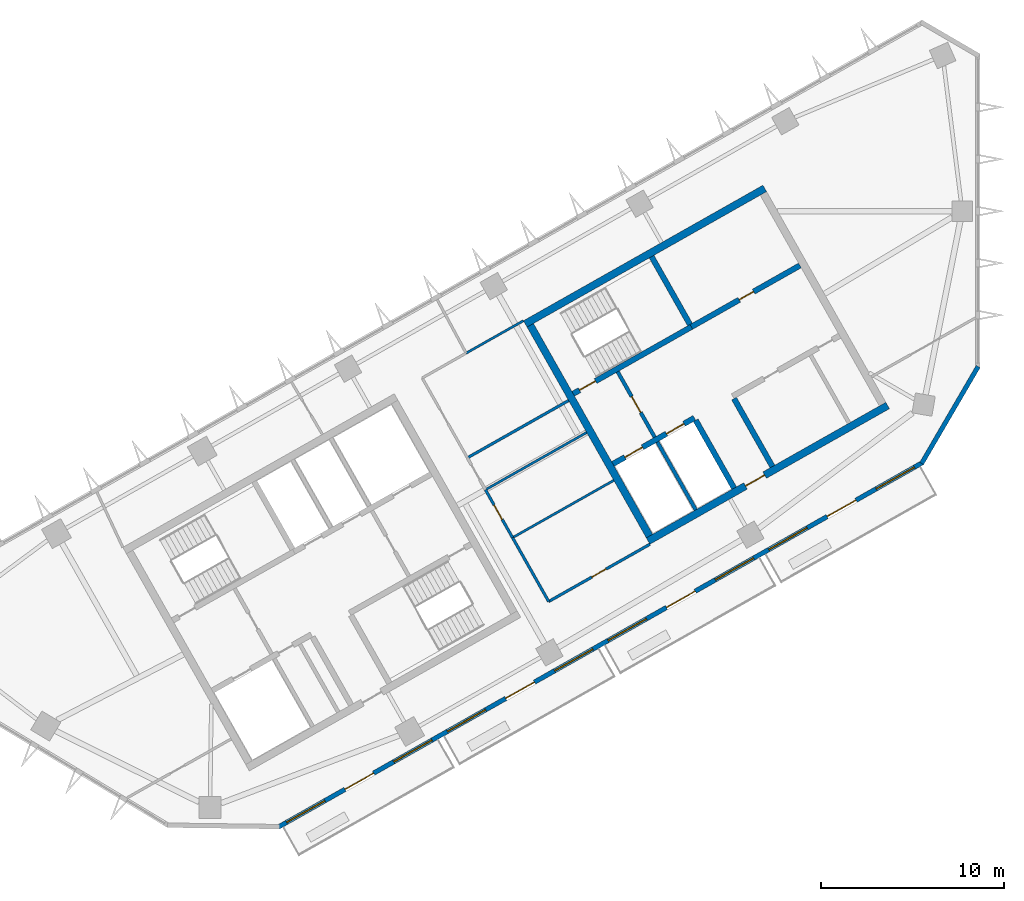
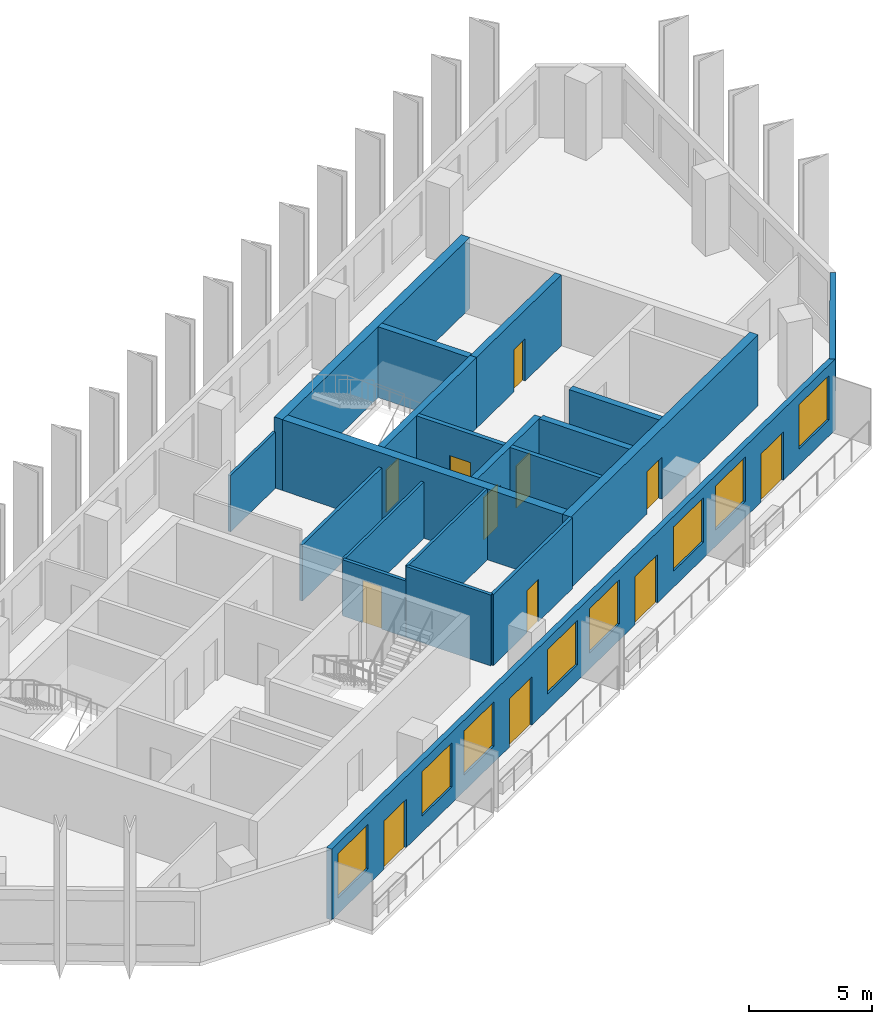
# One storey, part 4 of 8: 20 walls, 12 doors, 8 windows, 20 openings.
"""IFC4 building model written with IfcOpenShell, lengths in metres."""

from ifc_helpers import new_model, si_unit, direction, frame, frame_2d, origin, place, context, subcontext, project, spatial, rectangle, extrude, material, layer, layer_set, type_object, element, fill, save


model = new_model("IFC4")

# Units and contexts
model_context = context("Model", 3, precision=1e-05, world=origin(), true_north=direction((0.0, 1.0)))
body_context = subcontext(model_context, "Body", "Model", "MODEL_VIEW")
ifc_project = project(units=[si_unit("LENGTHUNIT", "METRE"), si_unit("AREAUNIT", "SQUARE_METRE"), si_unit("VOLUMEUNIT", "CUBIC_METRE"), si_unit("PLANEANGLEUNIT", "RADIAN"), si_unit("MASSUNIT", "GRAM", prefix="KILO")], contexts=[model_context])

# Site, building, storey
site_placement = place(None, origin())
site = spatial("IfcSite", under=ifc_project, at=site_placement, CompositionType="ELEMENT")
building_placement = place(site_placement, origin())
building = spatial("IfcBuilding", under=site, at=building_placement, Name="Binnacle Exchange Tower", CompositionType="ELEMENT")
storey_placement = place(building_placement, frame((0.0, 0.0, 277.89990234375)))
storey = spatial("IfcBuildingStorey", under=building, at=storey_placement, Name="L62", CompositionType="ELEMENT", Elevation=277.89990234375)

# Wall, openings, doors
ifc_material_1 = material(Name="Concrete C70/85", Category="concrete")
ifc_layer_1 = layer(ifc_material_1, 0.300048828125)
ifc_layer_set_1 = layer_set([ifc_layer_1], Name="Core wall - front 300")
wall_type_1 = type_object("IfcWallType", Name="Core wall - front 300", PredefinedType="SOLIDWALL", material=ifc_layer_set_1)
wall_1_placement = place(storey_placement, frame((-19.89208984375, 46.2177734375, 0.0), z_axis=(0.0, 0.0, 1.0), x_axis=(0.870341639186, 0.492448404505, 0.0)))
wall_1 = element("IfcWall", 1, at=wall_1_placement, inside=storey, type_object=wall_type_1, Name="Core wall CRWC2", PredefinedType="SOLIDWALL", context=body_context, shape_type="SweptSolid", body=[
    extrude(rectangle(XDim=5.099853515625, YDim=0.300048828125, at=frame_2d((2.5498046875, 0.0))), origin(), (0.0, 0.0, 1.0), 3.52001953125),
])
opening_1_placement = place(wall_1_placement, frame((0.75, 0.0, 0.0)))
opening_1 = element("IfcOpeningElement", 2, at=opening_1_placement, cuts=wall_1, Name="Opening LD14", PredefinedType="OPENING", context=body_context, shape_type="SweptSolid", body=[
    extrude(rectangle(XDim=1.10009765625, YDim=2.10009765625, at=frame_2d((0.550048828125, 1.050048828125))), frame((0.0, 0.159912109375, 0.0), z_axis=(0.0, -1.0, 0.0), x_axis=(1.0, 0.0, 0.0)), (0.0, 0.0, 1.0), 0.320068359375),
])
opening_2_placement = place(wall_1_placement, frame((3.35009765625, 0.0, 0.0)))
opening_2 = element("IfcOpeningElement", 3, at=opening_2_placement, cuts=wall_1, Name="Opening LD11", PredefinedType="OPENING", context=body_context, shape_type="SweptSolid", body=[
    extrude(rectangle(XDim=1.10009765625, YDim=2.10009765625, at=frame_2d((0.550048828125, 1.050048828125))), frame((0.0, 0.159912109375, 0.0), z_axis=(0.0, -1.0, 0.0), x_axis=(1.0, 0.0, 0.0)), (0.0, 0.0, 1.0), 0.320068359375),
])
ifc_material_2 = material(Name="Steel door leaf", Category="steel")
door_type_1 = type_object("IfcDoorType", Name="Fire door - lift landing 1100", OperationType="NOTDEFINED", PredefinedType="DOOR", material=ifc_material_2)
door_1_placement = place(opening_1_placement, origin())
door_1 = element("IfcDoor", 4, at=door_1_placement, inside=storey, type_object=door_type_1, Name="Landing door LD14 L62", OperationType="DOUBLE_DOOR_SLIDING", OverallHeight=2.10009765625, OverallWidth=1.10009765625, PredefinedType="DOOR", context=body_context, shape_type="SweptSolid", body=[
    extrude(rectangle(XDim=1.10009765625, YDim=2.10009765625, at=frame_2d((0.550048828125, 1.050048828125))), frame((0.0, 0.02490234375, 0.0), z_axis=(0.0, -1.0, 0.0), x_axis=(1.0, 0.0, 0.0)), (0.0, 0.0, 1.0), 0.050048828125),
])
fill(opening_1, door_1)
door_2_placement = place(opening_2_placement, origin())
door_2 = element("IfcDoor", 5, at=door_2_placement, inside=storey, type_object=door_type_1, Name="Landing door LD11 L62", OperationType="DOUBLE_DOOR_SLIDING", OverallHeight=2.10009765625, OverallWidth=1.10009765625, PredefinedType="DOOR", context=body_context, shape_type="SweptSolid", body=[
    extrude(rectangle(XDim=1.10009765625, YDim=2.10009765625, at=frame_2d((0.550048828125, 1.050048828125))), frame((0.0, 0.02490234375, 0.0), z_axis=(0.0, -1.0, 0.0), x_axis=(1.0, 0.0, 0.0)), (0.0, 0.0, 1.0), 0.050048828125),
])
fill(opening_2, door_2)

# Wall, opening, door
wall_2_placement = place(storey_placement, frame((-15.6181640625, 53.69140625, 0.0), z_axis=(0.0, 0.0, 1.0), x_axis=(0.870362830851, 0.492410948978, 0.0)))
wall_2 = element("IfcWall", 6, at=wall_2_placement, inside=storey, type_object=wall_type_1, Name="Core wall CRWC5", PredefinedType="SOLIDWALL", context=body_context, shape_type="SweptSolid", body=[
    extrude(rectangle(XDim=6.800048828125, YDim=0.300048828125, at=frame_2d((3.39990234375, 0.0))), origin(), (0.0, 0.0, 1.0), 3.52001953125),
])
opening_3_placement = place(wall_2_placement, frame((3.0, 0.0, 0.0)))
opening_3 = element("IfcOpeningElement", 7, at=opening_3_placement, cuts=wall_2, Name="Opening DC10", PredefinedType="OPENING", context=body_context, shape_type="SweptSolid", body=[
    extrude(rectangle(XDim=0.89990234375, YDim=2.10009765625, at=frame_2d((0.449951171875, 1.050048828125))), frame((0.0, 0.159912109375, 0.0), z_axis=(0.0, -1.0, 0.0), x_axis=(1.0, 0.0, 0.0)), (0.0, 0.0, 1.0), 0.320068359375),
])
door_type_2 = type_object("IfcDoorType", Name="Fire door 900", OperationType="NOTDEFINED", PredefinedType="DOOR", material=ifc_material_2)
door_3_placement = place(opening_3_placement, origin())
door_3 = element("IfcDoor", 8, at=door_3_placement, inside=storey, type_object=door_type_2, Name="Core room door STAFF PANTRY AND STORE", OperationType="SINGLE_SWING_RIGHT", OverallHeight=2.10009765625, OverallWidth=0.89990234375, PredefinedType="DOOR", context=body_context, shape_type="SweptSolid", body=[
    extrude(rectangle(XDim=0.89990234375, YDim=2.10009765625, at=frame_2d((0.449951171875, 1.050048828125))), frame((0.0, 0.02490234375, 0.0), z_axis=(0.0, -1.0, 0.0), x_axis=(1.0, 0.0, 0.0)), (0.0, 0.0, 1.0), 0.050048828125),
])
fill(opening_3, door_3)

# Walls
wall_3_placement = place(storey_placement, frame((-15.37939453125, 48.5986328125, 0.0), z_axis=(0.0, 0.0, 1.0), x_axis=(0.492422543467, -0.870356271124, 0.0)))
element("IfcWall", 9, at=wall_3_placement, inside=storey, type_object=wall_type_1, Name="Core wall CRWC13", PredefinedType="SOLIDWALL", context=body_context, shape_type="SweptSolid", body=[
    extrude(rectangle(XDim=4.25, YDim=0.300048828125, at=frame_2d((2.125, 0.0))), origin(), (0.0, 0.0, 1.0), 3.52001953125),
])
wall_4_placement = place(storey_placement, frame((-13.29052734375, 49.780517578125, 0.0), z_axis=(0.0, 0.0, 1.0), x_axis=(0.492397924348, -0.870370199454, 0.0)))
element("IfcWall", 10, at=wall_4_placement, inside=storey, type_object=wall_type_1, Name="Core wall CRWC15", PredefinedType="SOLIDWALL", context=body_context, shape_type="SweptSolid", body=[
    extrude(rectangle(XDim=4.250244140625, YDim=0.300048828125, at=frame_2d((2.125, 0.0))), origin(), (0.0, 0.0, 1.0), 3.52001953125),
])

# Wall, opening, door
ifc_layer_2 = layer(ifc_material_1, 0.39990234375)
ifc_layer_set_2 = layer_set([ifc_layer_2], Name="Core wall - outer 400")
wall_type_2 = type_object("IfcWallType", Name="Core wall - outer 400", PredefinedType="SOLIDWALL", material=ifc_layer_set_2)
wall_5_placement = place(storey_placement, frame((-17.97509765625, 42.01708984375, 0.0), z_axis=(0.0, 0.0, 1.0), x_axis=(0.87034965173, 0.492434243055, 0.0)))
wall_5 = element("IfcWall", 11, at=wall_5_placement, inside=storey, type_object=wall_type_2, Name="Core wall CRWC1", PredefinedType="SOLIDWALL", context=body_context, shape_type="SweptSolid", body=[
    extrude(rectangle(XDim=15.0, YDim=0.39990234375, at=frame_2d((7.5, 0.0))), origin(), (0.0, 0.0, 1.0), 3.52001953125),
])
opening_4_placement = place(wall_5_placement, frame((6.10009765625, 0.0, 0.0)))
opening_4 = element("IfcOpeningElement", 12, at=opening_4_placement, cuts=wall_5, Name="Opening DC7", PredefinedType="OPENING", context=body_context, shape_type="SweptSolid", body=[
    extrude(rectangle(XDim=1.199951171875, YDim=2.10009765625, at=frame_2d((0.60009765625, 1.050048828125))), frame((0.0, 0.2099609375, 0.0), z_axis=(0.0, -1.0, 0.0), x_axis=(1.0, 0.0, 0.0)), (0.0, 0.0, 1.0), 0.419921875),
])
door_type_3 = type_object("IfcDoorType", Name="Fire door 1200", OperationType="NOTDEFINED", PredefinedType="DOOR", material=ifc_material_2)
door_4_placement = place(opening_4_placement, frame((1.199951171875, 0.0, 0.0), z_axis=(0.0, 0.0, 1.0), x_axis=(-1.0, 0.0, 0.0)))
door_4 = element("IfcDoor", 13, at=door_4_placement, inside=storey, type_object=door_type_3, Name="Lift lobby entrance door core C", OperationType="SINGLE_SWING_RIGHT", OverallHeight=2.10009765625, OverallWidth=1.199951171875, PredefinedType="DOOR", context=body_context, shape_type="SweptSolid", body=[
    extrude(rectangle(XDim=1.199951171875, YDim=2.10009765625, at=frame_2d((0.60009765625, 1.050048828125))), frame((0.0, 0.02490234375, 0.0), z_axis=(0.0, -1.0, 0.0), x_axis=(1.0, 0.0, 0.0)), (0.0, 0.0, 1.0), 0.050048828125),
])
fill(opening_4, door_4)

# Walls
wall_6_placement = place(storey_placement, frame((-24.672119140625, 53.85400390625, 0.0), z_axis=(0.0, 0.0, 1.0), x_axis=(0.870353598469, 0.492427267353, 0.0)))
element("IfcWall", 14, at=wall_6_placement, inside=storey, type_object=wall_type_2, Name="Core wall CRWC6", PredefinedType="SOLIDWALL", context=body_context, shape_type="SweptSolid", body=[
    extrude(rectangle(XDim=15.000244140625, YDim=0.39990234375, at=frame_2d((7.5, 0.0))), origin(), (0.0, 0.0, 1.0), 3.52001953125),
])
wall_7_placement = place(storey_placement, frame((-24.399658203125, 53.778564453125, 0.0), z_axis=(0.0, 0.0, 1.0), x_axis=(0.492421663121, -0.870356769198, 0.0)))
element("IfcWall", 15, at=wall_7_placement, inside=storey, type_object=wall_type_2, Name="Core wall CRWC7", PredefinedType="SOLIDWALL", context=body_context, shape_type="SweptSolid", body=[
    extrude(rectangle(XDim=13.199951171875, YDim=0.39990234375, at=frame_2d((6.60009765625, 0.0))), origin(), (0.0, 0.0, 1.0), 3.52001953125),
])

# Wall, opening, door
ifc_layer_3 = layer(ifc_material_1, 0.300048828125)
ifc_layer_set_3 = layer_set([ifc_layer_3], Name="Core wall - stair 300")
wall_type_3 = type_object("IfcWallType", Name="Core wall - stair 300", PredefinedType="SOLIDWALL", material=ifc_layer_set_3)
wall_8_placement = place(storey_placement, frame((-22.058837890625, 50.04736328125, 0.0), z_axis=(0.0, 0.0, 1.0), x_axis=(0.87035077051, 0.49243226567, 0.0)))
wall_8 = element("IfcWall", 16, at=wall_8_placement, inside=storey, type_object=wall_type_3, Name="Core wall CRWC4", PredefinedType="SOLIDWALL", context=body_context, shape_type="SweptSolid", body=[
    extrude(rectangle(XDim=7.400146484375, YDim=0.300048828125, at=frame_2d((3.7001953125, 0.0))), origin(), (0.0, 0.0, 1.0), 3.52001953125),
])
opening_5_placement = place(wall_8_placement, frame((0.39990234375, 0.0, 0.0)))
opening_5 = element("IfcOpeningElement", 17, at=opening_5_placement, cuts=wall_8, Name="Opening DC1", PredefinedType="OPENING", context=body_context, shape_type="SweptSolid", body=[
    extrude(rectangle(XDim=1.0, YDim=2.10009765625, at=frame_2d((0.5, 1.050048828125))), frame((0.0, 0.159912109375, 0.0), z_axis=(0.0, -1.0, 0.0), x_axis=(1.0, 0.0, 0.0)), (0.0, 0.0, 1.0), 0.320068359375),
])
door_type_4 = type_object("IfcDoorType", Name="Fire door 1000", OperationType="NOTDEFINED", PredefinedType="DOOR", material=ifc_material_2)
door_5_placement = place(opening_5_placement, origin())
door_5 = element("IfcDoor", 18, at=door_5_placement, inside=storey, type_object=door_type_4, Name="Stair door ST-C1", OperationType="SINGLE_SWING_LEFT", OverallHeight=2.10009765625, OverallWidth=1.0, PredefinedType="DOOR", context=body_context, shape_type="SweptSolid", body=[
    extrude(rectangle(XDim=1.0, YDim=2.10009765625, at=frame_2d((0.5, 1.050048828125))), frame((0.0, 0.02490234375, 0.0), z_axis=(0.0, -1.0, 0.0), x_axis=(1.0, 0.0, 0.0)), (0.0, 0.0, 1.0), 0.050048828125),
])
fill(opening_5, door_5)

# Walls
wall_9_placement = place(storey_placement, frame((-17.784912109375, 57.52099609375, 0.0), z_axis=(0.0, 0.0, 1.0), x_axis=(0.492422543467, -0.870356271124, 0.0)))
element("IfcWall", 19, at=wall_9_placement, inside=storey, type_object=wall_type_3, Name="Core wall CRWC14", PredefinedType="SOLIDWALL", context=body_context, shape_type="SweptSolid", body=[
    extrude(rectangle(XDim=4.25, YDim=0.300048828125, at=frame_2d((2.125, 0.0))), origin(), (0.0, 0.0, 1.0), 3.52001953125),
])
ifc_material_3 = material(Name="Bronze aluminium cladding", Category="aluminium")
ifc_layer_4 = layer(ifc_material_3, 0.25)
ifc_layer_set_4 = layer_set([ifc_layer_4], Name="External wall - window wall 250")
wall_type_4 = type_object("IfcWallType", Name="External wall - window wall 250", PredefinedType="STANDARD", material=ifc_layer_set_4)
wall_10_placement = place(storey_placement, frame((0.01708984375, 51.529296875, 0.0), z_axis=(0.0, 0.0, 1.0), x_axis=(-0.503769237131, -0.863838269424, 0.0)))
element("IfcWall", 20, at=wall_10_placement, inside=storey, type_object=wall_type_4, Name="External wall EW-H00 L62", PredefinedType="STANDARD", context=body_context, shape_type="SweptSolid", body=[
    extrude(rectangle(XDim=6.114501953125, YDim=0.25, at=frame_2d((3.05712890625, 0.0))), origin(), (0.0, 0.0, 1.0), 3.52001953125),
])

# Wall, openings, doors, windows
wall_11_placement = place(storey_placement, frame((-3.016845703125, 46.293212890625, 0.0), z_axis=(0.0, 0.0, 1.0), x_axis=(-0.870355474887, -0.492423950812, 0.0)))
wall_11 = element("IfcWall", 21, at=wall_11_placement, inside=storey, type_object=wall_type_4, Name="External wall EW-H07 L62", PredefinedType="STANDARD", context=body_context, shape_type="SweptSolid", body=[
    extrude(rectangle(XDim=40.34033203125, YDim=0.25, at=frame_2d((20.170166015625, 0.0))), origin(), (0.0, 0.0, 1.0), 3.52001953125),
])
opening_6_placement = place(wall_11_placement, frame((37.428466796875, 0.0, 0.800048828125)))
opening_6 = element("IfcOpeningElement", 22, at=opening_6_placement, cuts=wall_11, Name="Opening WR2", PredefinedType="OPENING", context=body_context, shape_type="SweptSolid", body=[
    extrude(rectangle(XDim=2.39990234375, YDim=2.199951171875, at=frame_2d((1.199951171875, 1.10009765625))), frame((0.0, 0.135009765625, 0.0), z_axis=(0.0, -1.0, 0.0), x_axis=(1.0, 0.0, 0.0)), (0.0, 0.0, 1.0), 0.27001953125),
])
opening_7_placement = place(wall_11_placement, frame((34.372314453125, 0.0, 0.0)))
opening_7 = element("IfcOpeningElement", 23, at=opening_7_placement, cuts=wall_11, Name="Opening D-FS18-01", PredefinedType="OPENING", context=body_context, shape_type="SweptSolid", body=[
    extrude(rectangle(XDim=1.800048828125, YDim=2.39990234375, at=frame_2d((0.89990234375, 1.199951171875))), frame((0.0, 0.135009765625, 0.0), z_axis=(0.0, -1.0, 0.0), x_axis=(1.0, 0.0, 0.0)), (0.0, 0.0, 1.0), 0.27001953125),
])
opening_8_placement = place(wall_11_placement, frame((30.71630859375, 0.0, 0.800048828125)))
opening_8 = element("IfcOpeningElement", 24, at=opening_8_placement, cuts=wall_11, Name="Opening WR2", PredefinedType="OPENING", context=body_context, shape_type="SweptSolid", body=[
    extrude(rectangle(XDim=2.39990234375, YDim=2.199951171875, at=frame_2d((1.199951171875, 1.10009765625))), frame((0.0, 0.135009765625, 0.0), z_axis=(0.0, -1.0, 0.0), x_axis=(1.0, 0.0, 0.0)), (0.0, 0.0, 1.0), 0.27001953125),
])
opening_9_placement = place(wall_11_placement, frame((27.3603515625, 0.0, 0.800048828125)))
opening_9 = element("IfcOpeningElement", 25, at=opening_9_placement, cuts=wall_11, Name="Opening WR2", PredefinedType="OPENING", context=body_context, shape_type="SweptSolid", body=[
    extrude(rectangle(XDim=2.39990234375, YDim=2.199951171875, at=frame_2d((1.199951171875, 1.10009765625))), frame((0.0, 0.135009765625, 0.0), z_axis=(0.0, -1.0, 0.0), x_axis=(1.0, 0.0, 0.0)), (0.0, 0.0, 1.0), 0.27001953125),
])
opening_10_placement = place(wall_11_placement, frame((24.30419921875, 0.0, 0.0)))
opening_10 = element("IfcOpeningElement", 26, at=opening_10_placement, cuts=wall_11, Name="Opening D-FS18-02", PredefinedType="OPENING", context=body_context, shape_type="SweptSolid", body=[
    extrude(rectangle(XDim=1.800048828125, YDim=2.39990234375, at=frame_2d((0.89990234375, 1.199951171875))), frame((0.0, 0.135009765625, 0.0), z_axis=(0.0, -1.0, 0.0), x_axis=(1.0, 0.0, 0.0)), (0.0, 0.0, 1.0), 0.27001953125),
])
opening_11_placement = place(wall_11_placement, frame((20.648193359375, 0.0, 0.800048828125)))
opening_11 = element("IfcOpeningElement", 27, at=opening_11_placement, cuts=wall_11, Name="Opening WR2", PredefinedType="OPENING", context=body_context, shape_type="SweptSolid", body=[
    extrude(rectangle(XDim=2.39990234375, YDim=2.199951171875, at=frame_2d((1.199951171875, 1.10009765625))), frame((0.0, 0.135009765625, 0.0), z_axis=(0.0, -1.0, 0.0), x_axis=(1.0, 0.0, 0.0)), (0.0, 0.0, 1.0), 0.27001953125),
])
opening_12_placement = place(wall_11_placement, frame((17.2919921875, 0.0, 0.800048828125)))
opening_12 = element("IfcOpeningElement", 28, at=opening_12_placement, cuts=wall_11, Name="Opening WR2", PredefinedType="OPENING", context=body_context, shape_type="SweptSolid", body=[
    extrude(rectangle(XDim=2.39990234375, YDim=2.199951171875, at=frame_2d((1.199951171875, 1.10009765625))), frame((0.0, 0.135009765625, 0.0), z_axis=(0.0, -1.0, 0.0), x_axis=(1.0, 0.0, 0.0)), (0.0, 0.0, 1.0), 0.27001953125),
])
opening_13_placement = place(wall_11_placement, frame((14.236083984375, 0.0, 0.0)))
opening_13 = element("IfcOpeningElement", 29, at=opening_13_placement, cuts=wall_11, Name="Opening D-FS18-03", PredefinedType="OPENING", context=body_context, shape_type="SweptSolid", body=[
    extrude(rectangle(XDim=1.800048828125, YDim=2.39990234375, at=frame_2d((0.89990234375, 1.199951171875))), frame((0.0, 0.135009765625, 0.0), z_axis=(0.0, -1.0, 0.0), x_axis=(1.0, 0.0, 0.0)), (0.0, 0.0, 1.0), 0.27001953125),
])
opening_14_placement = place(wall_11_placement, frame((10.580078125, 0.0, 0.800048828125)))
opening_14 = element("IfcOpeningElement", 30, at=opening_14_placement, cuts=wall_11, Name="Opening WR2", PredefinedType="OPENING", context=body_context, shape_type="SweptSolid", body=[
    extrude(rectangle(XDim=2.39990234375, YDim=2.199951171875, at=frame_2d((1.199951171875, 1.10009765625))), frame((0.0, 0.135009765625, 0.0), z_axis=(0.0, -1.0, 0.0), x_axis=(1.0, 0.0, 0.0)), (0.0, 0.0, 1.0), 0.27001953125),
])
opening_15_placement = place(wall_11_placement, frame((7.223876953125, 0.0, 0.800048828125)))
opening_15 = element("IfcOpeningElement", 31, at=opening_15_placement, cuts=wall_11, Name="Opening WR2", PredefinedType="OPENING", context=body_context, shape_type="SweptSolid", body=[
    extrude(rectangle(XDim=2.39990234375, YDim=2.199951171875, at=frame_2d((1.199951171875, 1.10009765625))), frame((0.0, 0.135009765625, 0.0), z_axis=(0.0, -1.0, 0.0), x_axis=(1.0, 0.0, 0.0)), (0.0, 0.0, 1.0), 0.27001953125),
])
opening_16_placement = place(wall_11_placement, frame((4.16796875, 0.0, 0.0)))
opening_16 = element("IfcOpeningElement", 32, at=opening_16_placement, cuts=wall_11, Name="Opening D-FS18-04", PredefinedType="OPENING", context=body_context, shape_type="SweptSolid", body=[
    extrude(rectangle(XDim=1.800048828125, YDim=2.39990234375, at=frame_2d((0.89990234375, 1.199951171875))), frame((0.0, 0.135009765625, 0.0), z_axis=(0.0, -1.0, 0.0), x_axis=(1.0, 0.0, 0.0)), (0.0, 0.0, 1.0), 0.27001953125),
])
opening_17_placement = place(wall_11_placement, frame((0.51171875, 0.0, 0.800048828125)))
opening_17 = element("IfcOpeningElement", 33, at=opening_17_placement, cuts=wall_11, Name="Opening WR2", PredefinedType="OPENING", context=body_context, shape_type="SweptSolid", body=[
    extrude(rectangle(XDim=2.39990234375, YDim=2.199951171875, at=frame_2d((1.199951171875, 1.10009765625))), frame((0.0, 0.135009765625, 0.0), z_axis=(0.0, -1.0, 0.0), x_axis=(1.0, 0.0, 0.0)), (0.0, 0.0, 1.0), 0.27001953125),
])
ifc_material_4 = material(Name="Bronze anodised aluminium frame", Category="aluminium")
door_type_5 = type_object("IfcDoorType", Name="DB DOOR 1800x2400", OperationType="DOUBLE_DOOR_SINGLE_SWING", PredefinedType="DOOR", material=ifc_material_4)
door_6_placement = place(opening_7_placement, origin())
door_6 = element("IfcDoor", 34, at=door_6_placement, inside=storey, type_object=door_type_5, Name="Door D-FS18-01 L62", OperationType="DOUBLE_DOOR_SINGLE_SWING", OverallHeight=2.39990234375, OverallWidth=1.800048828125, PredefinedType="DOOR", context=body_context, shape_type="SweptSolid", body=[
    extrude(rectangle(XDim=1.800048828125, YDim=2.39990234375, at=frame_2d((0.89990234375, 1.199951171875))), frame((0.0, 0.02490234375, 0.0), z_axis=(0.0, -1.0, 0.0), x_axis=(1.0, 0.0, 0.0)), (0.0, 0.0, 1.0), 0.050048828125),
])
fill(opening_7, door_6)
door_7_placement = place(opening_10_placement, origin())
door_7 = element("IfcDoor", 35, at=door_7_placement, inside=storey, type_object=door_type_5, Name="Door D-FS18-02 L62", OperationType="DOUBLE_DOOR_SINGLE_SWING", OverallHeight=2.39990234375, OverallWidth=1.800048828125, PredefinedType="DOOR", context=body_context, shape_type="SweptSolid", body=[
    extrude(rectangle(XDim=1.800048828125, YDim=2.39990234375, at=frame_2d((0.89990234375, 1.199951171875))), frame((0.0, 0.02490234375, 0.0), z_axis=(0.0, -1.0, 0.0), x_axis=(1.0, 0.0, 0.0)), (0.0, 0.0, 1.0), 0.050048828125),
])
fill(opening_10, door_7)
door_8_placement = place(opening_13_placement, origin())
door_8 = element("IfcDoor", 36, at=door_8_placement, inside=storey, type_object=door_type_5, Name="Door D-FS18-03 L62", OperationType="DOUBLE_DOOR_SINGLE_SWING", OverallHeight=2.39990234375, OverallWidth=1.800048828125, PredefinedType="DOOR", context=body_context, shape_type="SweptSolid", body=[
    extrude(rectangle(XDim=1.800048828125, YDim=2.39990234375, at=frame_2d((0.89990234375, 1.199951171875))), frame((0.0, 0.02490234375, 0.0), z_axis=(0.0, -1.0, 0.0), x_axis=(1.0, 0.0, 0.0)), (0.0, 0.0, 1.0), 0.050048828125),
])
fill(opening_13, door_8)
door_9_placement = place(opening_16_placement, origin())
door_9 = element("IfcDoor", 37, at=door_9_placement, inside=storey, type_object=door_type_5, Name="Door D-FS18-04 L62", OperationType="DOUBLE_DOOR_SINGLE_SWING", OverallHeight=2.39990234375, OverallWidth=1.800048828125, PredefinedType="DOOR", context=body_context, shape_type="SweptSolid", body=[
    extrude(rectangle(XDim=1.800048828125, YDim=2.39990234375, at=frame_2d((0.89990234375, 1.199951171875))), frame((0.0, 0.02490234375, 0.0), z_axis=(0.0, -1.0, 0.0), x_axis=(1.0, 0.0, 0.0)), (0.0, 0.0, 1.0), 0.050048828125),
])
fill(opening_16, door_9)
window_type = type_object("IfcWindowType", Name="WR2 WINDOW 2400x2200", PartitioningType="SINGLE_PANEL", PredefinedType="WINDOW", material=ifc_material_4)
window_1_placement = place(opening_6_placement, origin())
window_1 = element("IfcWindow", 38, at=window_1_placement, inside=storey, type_object=window_type, Name="Window WR2 L62", OverallHeight=2.199951171875, OverallWidth=2.39990234375, PartitioningType="SINGLE_PANEL", PredefinedType="WINDOW", context=body_context, shape_type="SweptSolid", body=[
    extrude(rectangle(XDim=2.39990234375, YDim=2.199951171875, at=frame_2d((1.199951171875, 1.10009765625))), frame((0.0, 0.030029296875, 0.0), z_axis=(0.0, -1.0, 0.0), x_axis=(1.0, 0.0, 0.0)), (0.0, 0.0, 1.0), 0.06005859375),
])
fill(opening_6, window_1)
window_2_placement = place(opening_8_placement, origin())
window_2 = element("IfcWindow", 39, at=window_2_placement, inside=storey, type_object=window_type, Name="Window WR2 L62", OverallHeight=2.199951171875, OverallWidth=2.39990234375, PartitioningType="SINGLE_PANEL", PredefinedType="WINDOW", context=body_context, shape_type="SweptSolid", body=[
    extrude(rectangle(XDim=2.39990234375, YDim=2.199951171875, at=frame_2d((1.199951171875, 1.10009765625))), frame((0.0, 0.030029296875, 0.0), z_axis=(0.0, -1.0, 0.0), x_axis=(1.0, 0.0, 0.0)), (0.0, 0.0, 1.0), 0.06005859375),
])
fill(opening_8, window_2)
window_3_placement = place(opening_9_placement, origin())
window_3 = element("IfcWindow", 40, at=window_3_placement, inside=storey, type_object=window_type, Name="Window WR2 L62", OverallHeight=2.199951171875, OverallWidth=2.39990234375, PartitioningType="SINGLE_PANEL", PredefinedType="WINDOW", context=body_context, shape_type="SweptSolid", body=[
    extrude(rectangle(XDim=2.39990234375, YDim=2.199951171875, at=frame_2d((1.199951171875, 1.10009765625))), frame((0.0, 0.030029296875, 0.0), z_axis=(0.0, -1.0, 0.0), x_axis=(1.0, 0.0, 0.0)), (0.0, 0.0, 1.0), 0.06005859375),
])
fill(opening_9, window_3)
window_4_placement = place(opening_11_placement, origin())
window_4 = element("IfcWindow", 41, at=window_4_placement, inside=storey, type_object=window_type, Name="Window WR2 L62", OverallHeight=2.199951171875, OverallWidth=2.39990234375, PartitioningType="SINGLE_PANEL", PredefinedType="WINDOW", context=body_context, shape_type="SweptSolid", body=[
    extrude(rectangle(XDim=2.39990234375, YDim=2.199951171875, at=frame_2d((1.199951171875, 1.10009765625))), frame((0.0, 0.030029296875, 0.0), z_axis=(0.0, -1.0, 0.0), x_axis=(1.0, 0.0, 0.0)), (0.0, 0.0, 1.0), 0.06005859375),
])
fill(opening_11, window_4)
window_5_placement = place(opening_12_placement, origin())
window_5 = element("IfcWindow", 42, at=window_5_placement, inside=storey, type_object=window_type, Name="Window WR2 L62", OverallHeight=2.199951171875, OverallWidth=2.39990234375, PartitioningType="SINGLE_PANEL", PredefinedType="WINDOW", context=body_context, shape_type="SweptSolid", body=[
    extrude(rectangle(XDim=2.39990234375, YDim=2.199951171875, at=frame_2d((1.199951171875, 1.10009765625))), frame((0.0, 0.030029296875, 0.0), z_axis=(0.0, -1.0, 0.0), x_axis=(1.0, 0.0, 0.0)), (0.0, 0.0, 1.0), 0.06005859375),
])
fill(opening_12, window_5)
window_6_placement = place(opening_14_placement, origin())
window_6 = element("IfcWindow", 43, at=window_6_placement, inside=storey, type_object=window_type, Name="Window WR2 L62", OverallHeight=2.199951171875, OverallWidth=2.39990234375, PartitioningType="SINGLE_PANEL", PredefinedType="WINDOW", context=body_context, shape_type="SweptSolid", body=[
    extrude(rectangle(XDim=2.39990234375, YDim=2.199951171875, at=frame_2d((1.199951171875, 1.10009765625))), frame((0.0, 0.030029296875, 0.0), z_axis=(0.0, -1.0, 0.0), x_axis=(1.0, 0.0, 0.0)), (0.0, 0.0, 1.0), 0.06005859375),
])
fill(opening_14, window_6)
window_7_placement = place(opening_15_placement, origin())
window_7 = element("IfcWindow", 44, at=window_7_placement, inside=storey, type_object=window_type, Name="Window WR2 L62", OverallHeight=2.199951171875, OverallWidth=2.39990234375, PartitioningType="SINGLE_PANEL", PredefinedType="WINDOW", context=body_context, shape_type="SweptSolid", body=[
    extrude(rectangle(XDim=2.39990234375, YDim=2.199951171875, at=frame_2d((1.199951171875, 1.10009765625))), frame((0.0, 0.030029296875, 0.0), z_axis=(0.0, -1.0, 0.0), x_axis=(1.0, 0.0, 0.0)), (0.0, 0.0, 1.0), 0.06005859375),
])
fill(opening_15, window_7)
window_8_placement = place(opening_17_placement, origin())
window_8 = element("IfcWindow", 45, at=window_8_placement, inside=storey, type_object=window_type, Name="Window WR2 L62", OverallHeight=2.199951171875, OverallWidth=2.39990234375, PartitioningType="SINGLE_PANEL", PredefinedType="WINDOW", context=body_context, shape_type="SweptSolid", body=[
    extrude(rectangle(XDim=2.39990234375, YDim=2.199951171875, at=frame_2d((1.199951171875, 1.10009765625))), frame((0.0, 0.030029296875, 0.0), z_axis=(0.0, -1.0, 0.0), x_axis=(1.0, 0.0, 0.0)), (0.0, 0.0, 1.0), 0.06005859375),
])
fill(opening_17, window_8)

# Wall, opening, door
ifc_material_5 = material(Name="Masonry block wall", Category="masonry")
ifc_layer_5 = layer(ifc_material_5, 0.199951171875)
ifc_layer_set_5 = layer_set([ifc_layer_5], Name="Fire wall - vestibule 200")
wall_type_5 = type_object("IfcWallType", Name="Fire wall - vestibule 200", PredefinedType="PARTITIONING", material=ifc_layer_set_5)
wall_12_placement = place(storey_placement, frame((-19.635009765625, 51.246337890625, 0.0), z_axis=(0.0, 0.0, 1.0), x_axis=(0.492408451753, -0.87036424366, 0.0)))
wall_12 = element("IfcWall", 46, at=wall_12_placement, inside=storey, type_object=wall_type_5, Name="Core wall CRWC10", PredefinedType="PARTITIONING", context=body_context, shape_type="SweptSolid", body=[
    extrude(rectangle(XDim=4.099853515625, YDim=0.199951171875, at=frame_2d((2.0498046875, 0.0))), origin(), (0.0, 0.0, 1.0), 3.52001953125),
])
opening_18_placement = place(wall_12_placement, frame((1.550048828125, 0.0, 0.0)))
opening_18 = element("IfcOpeningElement", 47, at=opening_18_placement, cuts=wall_12, Name="Opening DC3", PredefinedType="OPENING", context=body_context, shape_type="SweptSolid", body=[
    extrude(rectangle(XDim=1.0, YDim=2.10009765625, at=frame_2d((0.5, 1.050048828125))), frame((0.0, 0.10986328125, 0.0), z_axis=(0.0, -1.0, 0.0), x_axis=(1.0, 0.0, 0.0)), (0.0, 0.0, 1.0), 0.219970703125),
])
door_10_placement = place(opening_18_placement, frame((1.0, 0.0, 0.0), z_axis=(0.0, 0.0, 1.0), x_axis=(-1.0, 0.0, 0.0)))
door_10 = element("IfcDoor", 48, at=door_10_placement, inside=storey, type_object=door_type_4, Name="Vestibule door VEST-W", OperationType="SINGLE_SWING_RIGHT", OverallHeight=2.10009765625, OverallWidth=1.0, PredefinedType="DOOR", context=body_context, shape_type="SweptSolid", body=[
    extrude(rectangle(XDim=1.0, YDim=2.10009765625, at=frame_2d((0.5, 1.050048828125))), frame((0.0, 0.02490234375, 0.0), z_axis=(0.0, -1.0, 0.0), x_axis=(1.0, 0.0, 0.0)), (0.0, 0.0, 1.0), 0.050048828125),
])
fill(opening_18, door_10)

# Wall
ifc_material_6 = material(Name="Gypsum partition fire rated")
ifc_layer_6 = layer(ifc_material_6, 0.14990234375)
ifc_layer_set_6 = layer_set([ifc_layer_6], Name="Fire-rated partition 150")
wall_type_6 = type_object("IfcWallType", Name="Fire-rated partition 150", PredefinedType="PARTITIONING", material=ifc_layer_set_6)
wall_13_placement = place(storey_placement, frame((-27.826904296875, 46.553955078125, 0.0), z_axis=(0.0, 0.0, 1.0), x_axis=(0.870339695563, 0.492451839602, 0.0)))
element("IfcWall", 49, at=wall_13_placement, inside=storey, type_object=wall_type_6, Name="Partition W09", PredefinedType="PARTITIONING", context=body_context, shape_type="SweptSolid", body=[
    extrude(rectangle(XDim=6.33984375, YDim=0.14990234375, at=frame_2d((3.169921875, 0.0))), origin(), (0.0, 0.0, 1.0), 2.7919921875),
])

# Wall, opening, door
wall_14_placement = place(storey_placement, frame((-26.842041015625, 44.81298828125, 0.0), z_axis=(0.0, 0.0, 1.0), x_axis=(0.492365617434, -0.870388475779, 0.0)))
wall_14 = element("IfcWall", 50, at=wall_14_placement, inside=storey, type_object=wall_type_6, Name="Partition W10", PredefinedType="PARTITIONING", context=body_context, shape_type="SweptSolid", body=[
    extrude(rectangle(XDim=3.0, YDim=0.14990234375, at=frame_2d((1.5, 0.0))), origin(), (0.0, 0.0, 1.0), 2.7919921875),
])
opening_19_placement = place(wall_14_placement, frame((0.949951171875, 0.0, 0.0)))
opening_19 = element("IfcOpeningElement", 51, at=opening_19_placement, cuts=wall_14, Name="Opening DL61-05", PredefinedType="OPENING", context=body_context, shape_type="SweptSolid", body=[
    extrude(rectangle(XDim=0.89990234375, YDim=2.10009765625, at=frame_2d((0.449951171875, 1.050048828125))), frame((0.0, 0.0849609375, 0.0), z_axis=(0.0, -1.0, 0.0), x_axis=(1.0, 0.0, 0.0)), (0.0, 0.0, 1.0), 0.169921875),
])
door_11_placement = place(opening_19_placement, origin())
door_11 = element("IfcDoor", 52, at=door_11_placement, inside=storey, type_object=door_type_2, Name="Door DL61-05", OperationType="SINGLE_SWING_LEFT", OverallHeight=2.10009765625, OverallWidth=0.89990234375, PredefinedType="DOOR", context=body_context, shape_type="SweptSolid", body=[
    extrude(rectangle(XDim=0.89990234375, YDim=2.10009765625, at=frame_2d((0.449951171875, 1.050048828125))), frame((0.0, 0.02490234375, 0.0), z_axis=(0.0, -1.0, 0.0), x_axis=(1.0, 0.0, 0.0)), (0.0, 0.0, 1.0), 0.050048828125),
])
fill(opening_19, door_11)

# Wall
wall_15_placement = place(storey_placement, frame((-25.364990234375, 42.201904296875, 0.0), z_axis=(0.0, 0.0, 1.0), x_axis=(0.492525823506, -0.870297830159, 0.0)))
element("IfcWall", 53, at=wall_15_placement, inside=storey, type_object=wall_type_6, Name="Partition W12", PredefinedType="PARTITIONING", context=body_context, shape_type="SweptSolid", body=[
    extrude(rectangle(XDim=3.999755859375, YDim=0.14990234375, at=frame_2d((2.0, 0.0))), origin(), (0.0, 0.0, 1.0), 3.52001953125),
])

# Wall, opening, door
wall_16_placement = place(storey_placement, frame((-23.39501953125, 38.720947265625, 0.0), z_axis=(0.0, 0.0, 1.0), x_axis=(0.870349033841, 0.492435335137, 0.0)))
wall_16 = element("IfcWall", 54, at=wall_16_placement, inside=storey, type_object=wall_type_6, Name="Partition W14", PredefinedType="PARTITIONING", context=body_context, shape_type="SweptSolid", body=[
    extrude(rectangle(XDim=6.340087890625, YDim=0.14990234375, at=frame_2d((3.169921875, 0.0))), origin(), (0.0, 0.0, 1.0), 3.52001953125),
])
opening_20_placement = place(wall_16_placement, frame((2.699951171875, 0.0, 0.0)))
opening_20 = element("IfcOpeningElement", 55, at=opening_20_placement, cuts=wall_16, Name="Opening DL61-04", PredefinedType="OPENING", context=body_context, shape_type="SweptSolid", body=[
    extrude(rectangle(XDim=0.89990234375, YDim=2.10009765625, at=frame_2d((0.449951171875, 1.050048828125))), frame((0.0, 0.0849609375, 0.0), z_axis=(0.0, -1.0, 0.0), x_axis=(1.0, 0.0, 0.0)), (0.0, 0.0, 1.0), 0.169921875),
])
door_12_placement = place(opening_20_placement, origin())
door_12 = element("IfcDoor", 56, at=door_12_placement, inside=storey, type_object=door_type_2, Name="Door DL61-04", OperationType="SINGLE_SWING_LEFT", OverallHeight=2.10009765625, OverallWidth=0.89990234375, PredefinedType="DOOR", context=body_context, shape_type="SweptSolid", body=[
    extrude(rectangle(XDim=0.89990234375, YDim=2.10009765625, at=frame_2d((0.449951171875, 1.050048828125))), frame((0.0, 0.02490234375, 0.0), z_axis=(0.0, -1.0, 0.0), x_axis=(1.0, 0.0, 0.0)), (0.0, 0.0, 1.0), 0.050048828125),
])
fill(opening_20, door_12)

# Walls
ifc_material_7 = material(Name="Gypsum partition")
ifc_layer_7 = layer(ifc_material_7, 0.125)
ifc_layer_set_7 = layer_set([ifc_layer_7], Name="Partition 125")
wall_type_7 = type_object("IfcWallType", Name="Partition 125", PredefinedType="PARTITIONING", material=ifc_layer_set_7)
wall_17_placement = place(storey_placement, frame((-27.89599609375, 52.260009765625, 0.0), z_axis=(0.0, 0.0, 1.0), x_axis=(0.870352535776, 0.492429145632, 0.0)))
element("IfcWall", 57, at=wall_17_placement, inside=storey, type_object=wall_type_7, Name="Partition W07", PredefinedType="PARTITIONING", context=body_context, shape_type="SweptSolid", body=[
    extrude(rectangle(XDim=3.590576171875, YDim=0.125, at=frame_2d((1.79541015625, 0.0))), origin(), (0.0, 0.0, 1.0), 2.7919921875),
])
wall_18_placement = place(storey_placement, frame((-26.842041015625, 44.81298828125, 0.0), z_axis=(0.0, 0.0, 1.0), x_axis=(0.870283015025, 0.492552001071, 0.0)))
element("IfcWall", 58, at=wall_18_placement, inside=storey, type_object=wall_type_7, Name="Partition W11", PredefinedType="PARTITIONING", context=body_context, shape_type="SweptSolid", body=[
    extrude(rectangle(XDim=6.340576171875, YDim=0.125, at=frame_2d((3.17041015625, 0.0))), origin(), (0.0, 0.0, 1.0), 2.7919921875),
])
wall_19_placement = place(storey_placement, frame((-25.364990234375, 42.201904296875, 0.0), z_axis=(0.0, 0.0, 1.0), x_axis=(0.870320373616, 0.492485986875, 0.0)))
element("IfcWall", 59, at=wall_19_placement, inside=storey, type_object=wall_type_7, Name="Partition W13", PredefinedType="PARTITIONING", context=body_context, shape_type="SweptSolid", body=[
    extrude(rectangle(XDim=6.34130859375, YDim=0.125, at=frame_2d((3.170654296875, 0.0))), origin(), (0.0, 0.0, 1.0), 3.52001953125),
])
ifc_layer_8 = layer(ifc_material_5, 0.199951171875)
ifc_layer_set_8 = layer_set([ifc_layer_8], Name="Shaft wall 200")
wall_type_8 = type_object("IfcWallType", Name="Shaft wall 200", PredefinedType="SOLIDWALL", material=ifc_layer_set_8)
wall_20_placement = place(storey_placement, frame((-17.468505859375, 47.416748046875, 0.0), z_axis=(0.0, 0.0, 1.0), x_axis=(0.492466057713, -0.870331650579, 0.0)))
element("IfcWall", 60, at=wall_20_placement, inside=storey, type_object=wall_type_8, Name="Core wall CRWC9", PredefinedType="SOLIDWALL", context=body_context, shape_type="SweptSolid", body=[
    extrude(rectangle(XDim=4.25, YDim=0.199951171875, at=frame_2d((2.125, 0.0))), origin(), (0.0, 0.0, 1.0), 3.52001953125),
])

save(model, "model.ifc")
